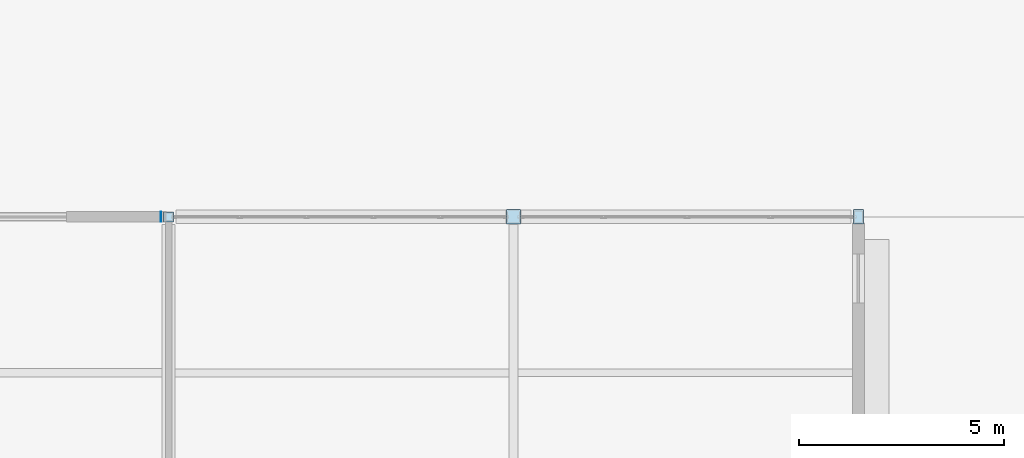
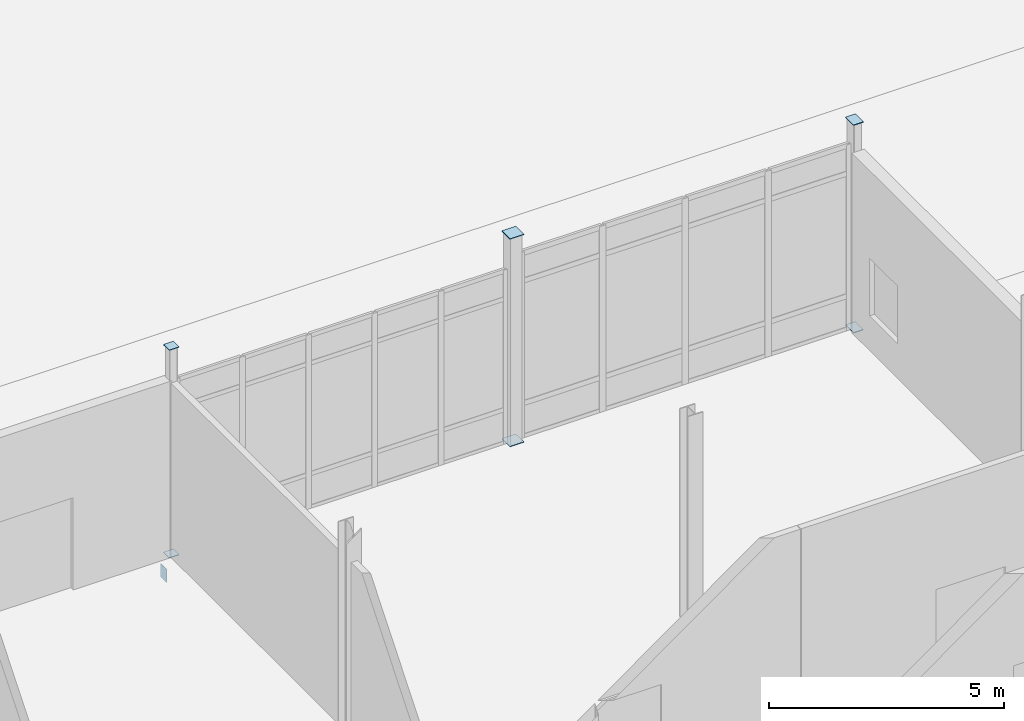
# One storey, part 172 of 229: 7 plates.
"""IFC4 building model written with IfcOpenShell, lengths in metres."""

import ifcopenshell
import ifcopenshell.guid

model = None  # the IFC model being written
_history = None  # IfcOwnerHistory: only IFC2X3 demands one
_inside = {}  # id of a spatial element -> (the spatial element, [elements in it])
_under = {}  # id of a project, library or spatial element -> (it, [spatial elements below it])
_declared = {}  # id of a project -> (the project, [libraries it declares])
_typed = {}  # id of a type object -> (the type object, [elements of that type])
_made_of = {}  # id of a material, layer set ... -> (it, [elements and type objects made of it])


def new_model(schema):
    """Start an empty IFC model of exactly this schema.

    Asked for "IFC4X3", IfcOpenShell would pick the latest addendum, in which some entities
    have other attributes; the version numbers below select the first issue.
    IFC2X3 requires an IfcOwnerHistory on every rooted entity: one is made here for all.
    """
    global model, _history
    if schema == "IFC4X3":
        model = ifcopenshell.file(schema_version=(4, 3, 0, 0))
    else:
        model = ifcopenshell.file(schema=schema)
    _inside.clear()
    _under.clear()
    _declared.clear()
    _typed.clear()
    _made_of.clear()
    _history = None
    if model.schema == "IFC2X3":
        org = make("IfcOrganization", Name="unknown")
        user = make(
            "IfcPersonAndOrganization",
            ThePerson=make("IfcPerson", FamilyName="unknown"),
            TheOrganization=org,
        )
        app = make(
            "IfcApplication",
            ApplicationDeveloper=org,
            Version="unknown",
            ApplicationFullName="unknown",
            ApplicationIdentifier="unknown",
        )
        _history = make(
            "IfcOwnerHistory",
            OwningUser=user,
            OwningApplication=app,
            ChangeAction="ADDED",
            CreationDate=0,
        )
    return model


def make(cls, **values):
    """One entity of the class cls with the attributes given. An attribute that is None is left unset."""
    return model.create_entity(
        cls, **{name: value for name, value in values.items() if value is not None}
    )


def rooted(cls, **values):
    """An entity with a GlobalId (a new one), such as an element, a storey or a relation."""
    return make(cls, GlobalId=ifcopenshell.guid.new(), OwnerHistory=_history, **values)


def si_unit(unit_type, name, prefix=None):
    """IfcSIUnit, for example si_unit("LENGTHUNIT", "METRE", prefix="MILLI")."""
    return make("IfcSIUnit", UnitType=unit_type, Prefix=prefix, Name=name)


def assignment(units):
    """IfcUnitAssignment: the units of a project."""
    return None if units is None else make("IfcUnitAssignment", Units=units)


def point(xyz):
    """IfcCartesianPoint."""
    return None if xyz is None else make("IfcCartesianPoint", Coordinates=xyz)


def direction(xyz):
    """IfcDirection."""
    return None if xyz is None else make("IfcDirection", DirectionRatios=xyz)


def frame(location, z_axis=None, x_axis=None):
    """IfcAxis2Placement3D, a coordinate frame: its origin and axes. An axis left out is left unset."""
    return make(
        "IfcAxis2Placement3D",
        Location=point(location),
        Axis=direction(z_axis),
        RefDirection=direction(x_axis),
    )


def frame_2d(location, x_axis=None):
    """IfcAxis2Placement2D, a coordinate frame in the plane: its origin and x axis."""
    return make(
        "IfcAxis2Placement2D", Location=point(location), RefDirection=direction(x_axis)
    )


def origin():
    """The frame at (0, 0, 0) with its axes left unset."""
    return frame((0.0, 0.0, 0.0))


def origin_2d():
    """The frame at (0, 0) in the plane with its x axis left unset."""
    return frame_2d((0.0, 0.0))


def place(relative_to, where):
    """IfcLocalPlacement: puts the frame where relative to a parent placement (None: the world)."""
    return make(
        "IfcLocalPlacement", PlacementRelTo=relative_to, RelativePlacement=where
    )


def context(
    kind, dimensions, precision=None, world=None, true_north=None, identifier=None
):
    """IfcGeometricRepresentationContext, for example the 3D "Model" context."""
    return make(
        "IfcGeometricRepresentationContext",
        ContextIdentifier=identifier,
        ContextType=kind,
        CoordinateSpaceDimension=dimensions,
        Precision=precision,
        WorldCoordinateSystem=world,
        TrueNorth=true_north,
    )


def subcontext(parent, identifier, kind, view, scale=None):
    """IfcGeometricRepresentationSubContext, for example "Body" below "Model"."""
    return make(
        "IfcGeometricRepresentationSubContext",
        ContextIdentifier=identifier,
        ContextType=kind,
        ParentContext=parent,
        TargetScale=scale,
        TargetView=view,
    )


def project(units=None, contexts=None):
    """IfcProject with its units and contexts."""
    return rooted(
        "IfcProject",
        Name="project",
        RepresentationContexts=contexts,
        UnitsInContext=assignment(units),
    )


def spatial(cls, under=None, at=None, **own):
    """A site, building, storey or space (cls), placed at a placement, below another one or the project."""
    s = rooted(cls, ObjectPlacement=at, **own)
    if under is not None:
        _under.setdefault(under.id(), (under, []))[1].append(s)
    return s


def profile(cls, at=None, kind="AREA", **sizes):
    """A parametric profile (cls). Its sizes go by their IFC names, for example OverallWidth=200.0."""
    return make(cls, ProfileType=kind, Position=at, **sizes)


def rectangle(**sizes):
    """IfcRectangleProfileDef."""
    return profile("IfcRectangleProfileDef", **sizes)


def extrude(swept, where, along, depth):
    """IfcExtrudedAreaSolid: the profile swept, set in the frame where, extruded along a direction by depth."""
    return make(
        "IfcExtrudedAreaSolid",
        SweptArea=swept,
        Position=where,
        ExtrudedDirection=direction(along),
        Depth=depth,
    )


def shape(context_of_items, identifier, shape_type, items):
    """IfcShapeRepresentation: the items that make up one representation, for example the "Body"."""
    return make(
        "IfcShapeRepresentation",
        ContextOfItems=context_of_items,
        RepresentationIdentifier=identifier,
        RepresentationType=shape_type,
        Items=items,
    )


def material(Name=None, Category=None):
    """IfcMaterial."""
    return make("IfcMaterial", Name=Name, Category=Category)


def layer(
    of_material, thickness, ventilated=None, Name=None, Category=None, Priority=None
):
    """IfcMaterialLayer: one layer of a wall or slab, of a material (None: an air gap)."""
    return make(
        "IfcMaterialLayer",
        Material=of_material,
        LayerThickness=thickness,
        IsVentilated=ventilated,
        Name=Name,
        Category=Category,
        Priority=Priority,
    )


def layer_set(layers, Name=None):
    """IfcMaterialLayerSet."""
    return make("IfcMaterialLayerSet", MaterialLayers=layers, LayerSetName=Name)


def made_of(thing, what):
    """Note that an element or type object is made of a material, layer set ...; save() writes the relation."""
    if what is not None:
        _made_of.setdefault(what.id(), (what, []))[1].append(thing)
    return thing


def type_object(cls, material=None, **own):
    """A type object (cls), such as IfcWallType, which elements share."""
    return made_of(rooted(cls, **own), material)


def element(
    cls,
    number,
    at=None,
    inside=None,
    cuts=None,
    type_object=None,
    material=None,
    context=None,
    identifier="Body",
    shape_type=None,
    held_by="IfcProductDefinitionShape",
    body=None,
    shapes=None,
    **own,
):
    """One element of the class cls, such as IfcWall. Its Tag is "e" and its number.

    at: its placement. inside: the storey or other place that contains it. cuts: it is an
    opening in that element (IfcRelVoidsElement). A single representation is given by context,
    identifier, shape_type and body (its items); several are given by shapes. held_by: the class
    of the entity that holds the representations. save() writes the other relations.
    """
    e = rooted(cls, Tag="e%d" % number, ObjectPlacement=at, **own)
    if body is not None:
        shapes = [shape(context, identifier, shape_type, body)]
    if shapes is not None:
        e.Representation = make(held_by, Representations=shapes)
    if inside is not None:
        _inside.setdefault(inside.id(), (inside, []))[1].append(e)
    if cuts is not None:
        rooted(
            "IfcRelVoidsElement", RelatingBuildingElement=cuts, RelatedOpeningElement=e
        )
    if type_object is not None:
        _typed.setdefault(type_object.id(), (type_object, []))[1].append(e)
    return made_of(e, material)


def aggregate(whole, parts):
    """IfcRelAggregates: a whole, such as a stair, and the parts it consists of."""
    return rooted("IfcRelAggregates", RelatingObject=whole, RelatedObjects=parts)


def save(model, path):
    """Write the relations noted so far, then the file.

    IfcRelAggregates (storeys below a building ...), IfcRelContainedInSpatialStructure (elements
    in a storey), IfcRelDefinesByType, IfcRelAssociatesMaterial and IfcRelDeclares: one each for
    every whole, place, type object, material and project.
    """
    for whole, parts in _under.values():
        aggregate(whole, parts)
    for where, things in _inside.values():
        rooted(
            "IfcRelContainedInSpatialStructure",
            RelatedElements=things,
            RelatingStructure=where,
        )
    for kind, things in _typed.values():
        rooted("IfcRelDefinesByType", RelatedObjects=things, RelatingType=kind)
    for what, things in _made_of.values():
        rooted("IfcRelAssociatesMaterial", RelatedObjects=things, RelatingMaterial=what)
    for by, libraries in _declared.values():
        rooted("IfcRelDeclares", RelatingContext=by, RelatedDefinitions=libraries)
    model.write(path)


model = new_model("IFC4")

# Units and contexts
model_context = context("Model", 3, precision=1e-05, world=origin(), true_north=direction((0.0, 1.0)))
body_context = subcontext(model_context, "Body", "Model", "MODEL_VIEW")
ifc_project = project(units=[si_unit("LENGTHUNIT", "METRE"), si_unit("AREAUNIT", "SQUARE_METRE"), si_unit("VOLUMEUNIT", "CUBIC_METRE"), si_unit("PLANEANGLEUNIT", "RADIAN"), si_unit("MASSUNIT", "GRAM", prefix="KILO")], contexts=[model_context])

# Site, building, storey
site_placement = place(None, origin())
site = spatial("IfcSite", under=ifc_project, at=site_placement, CompositionType="ELEMENT")
building_placement = place(site_placement, origin())
building = spatial("IfcBuilding", under=site, at=building_placement, Name="Calvrana Isthmian Art Gallery", CompositionType="ELEMENT")
storey_placement = place(building_placement, origin())
storey = spatial("IfcBuildingStorey", under=building, at=storey_placement, Name="L00", CompositionType="ELEMENT", Elevation=0.0)

# Plates
ifc_material = material(Name="Steel ASTM A572 Gr 50", Category="steel")
ifc_layer = layer(ifc_material, 0.01611328125, Name="Steel ASTM A572 Gr 50")
ifc_layer_set = layer_set([ifc_layer], Name="Steel ASTM A572 Gr 50")
plate_type = type_object("IfcPlateType", Name="PL-CAP-16", PredefinedType="SHEET", material=ifc_layer_set)
for number, where, z_axis, x_axis, name in (
    (1, (21.60009765625, 69.60009765625, -0.008056640625), (0.0, 0.0, 1.0), (1.0, 0.0, 0.0), "Hollow section end cap plate 037"),
    (2, (21.60009765625, 69.60009765625, 5.391845703125), (0.0, 0.0, 1.0), (1.0, 0.0, 0.0), "Hollow section end cap plate 038"),
):
    element("IfcPlate", number, at=place(storey_placement, frame(where, z_axis=z_axis, x_axis=x_axis)), inside=storey, type_object=plate_type, Name=name, PredefinedType="SHEET", context=body_context, shape_type="SweptSolid", body=[
        extrude(rectangle(XDim=0.2431640625, YDim=0.2431640625, at=origin_2d()), origin(), (0.0, 0.0, 1.0), 0.01611328125),
    ])
for number, where, z_axis, x_axis, name in (
    (3, (30.0, 69.60009765625, -0.008056640625), (0.0, 0.0, 1.0), (1.0, 0.0, 0.0), "Hollow section end cap plate 057"),
    (4, (30.0, 69.60009765625, 5.391845703125), (0.0, 0.0, 1.0), (1.0, 0.0, 0.0), "Hollow section end cap plate 058"),
):
    element("IfcPlate", number, at=place(storey_placement, frame(where, z_axis=z_axis, x_axis=x_axis)), inside=storey, type_object=plate_type, Name=name, PredefinedType="SHEET", context=body_context, shape_type="SweptSolid", body=[
        extrude(rectangle(XDim=0.3447265625, YDim=0.3447265625, at=origin_2d()), origin(), (0.0, 0.0, 1.0), 0.01611328125),
    ])
for number, where, z_axis, x_axis, name in (
    (5, (38.39990234375, 69.60009765625, -0.008056640625), (0.0, 0.0, 1.0), (1.0, 0.0, 0.0), "Hollow section end cap plate 077"),
    (6, (38.39990234375, 69.60009765625, 5.391845703125), (0.0, 0.0, 1.0), (1.0, 0.0, 0.0), "Hollow section end cap plate 078"),
):
    element("IfcPlate", number, at=place(storey_placement, frame(where, z_axis=z_axis, x_axis=x_axis)), inside=storey, type_object=plate_type, Name=name, PredefinedType="SHEET", context=body_context, shape_type="SweptSolid", body=[
        extrude(rectangle(XDim=0.2431640625, YDim=0.3447265625, at=origin_2d()), origin(), (0.0, 0.0, 1.0), 0.01611328125),
    ])
plate_placement = place(storey_placement, frame((21.41357421875, 69.60009765625, -0.60986328125), z_axis=(0.0, 0.0, 1.0), x_axis=(1.0, 0.0, 0.0)))
element("IfcPlate", 7, at=plate_placement, inside=storey, type_object=plate_type, Name="Hollow section end cap plate 396", PredefinedType="SHEET", context=body_context, shape_type="SweptSolid", body=[
    extrude(rectangle(XDim=0.01611328125, YDim=0.2431640625, at=origin_2d()), origin(), (0.0, 0.0, 1.0), 0.3447265625),
])

save(model, "model.ifc")
